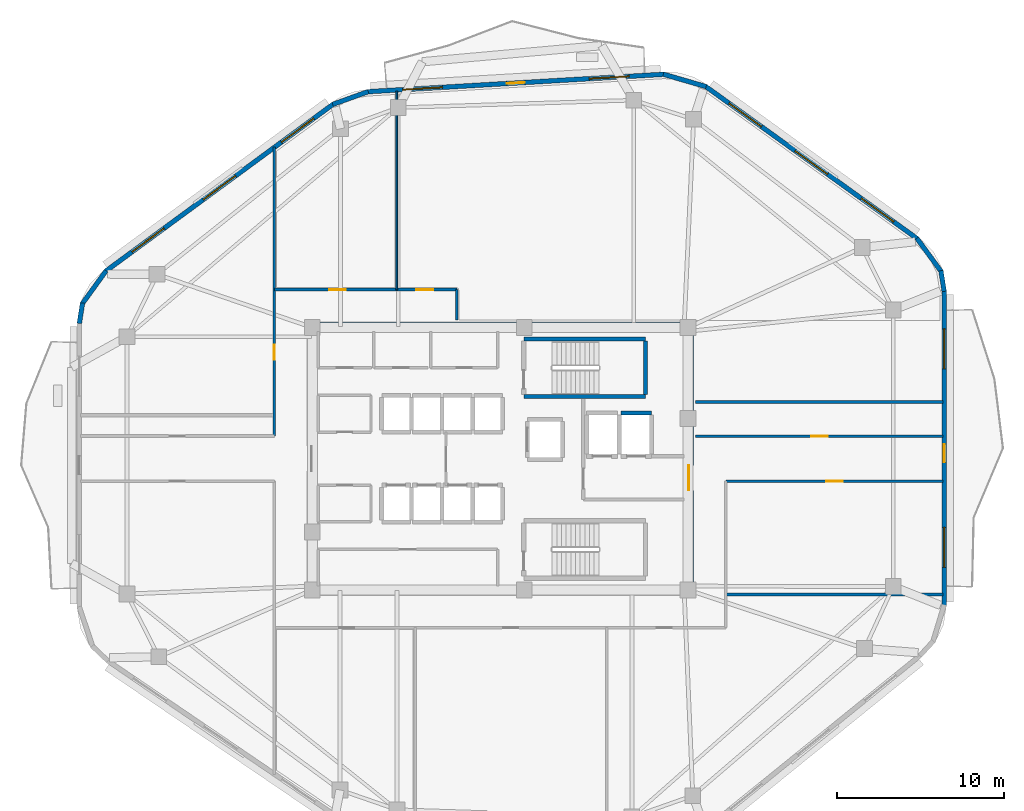
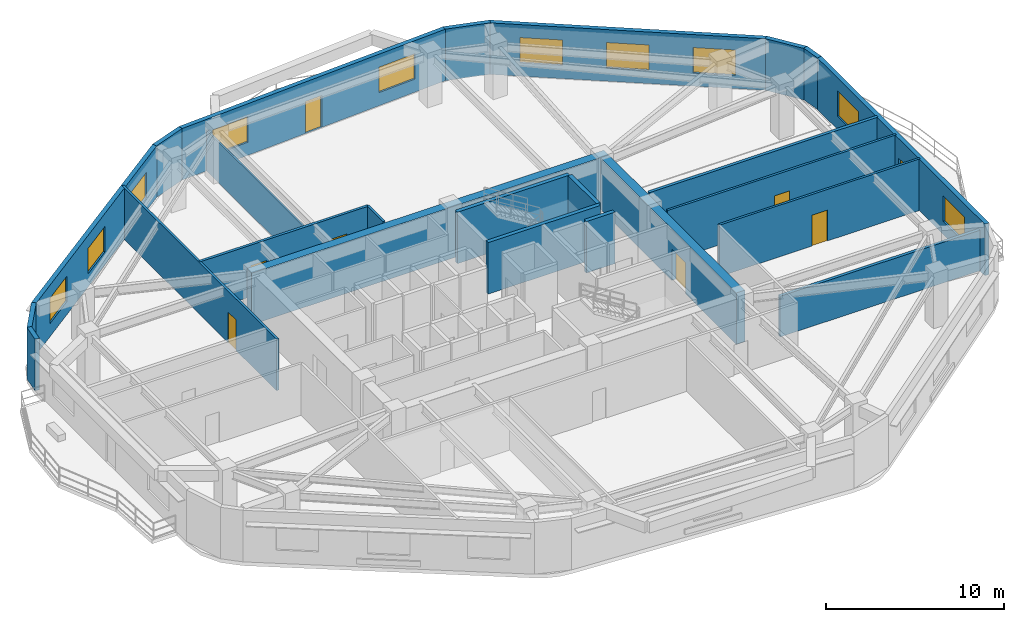
# One storey, part 5 of 9: 24 walls, 10 windows, 8 doors, 18 openings.
"""IFC4 building model written with IfcOpenShell, lengths in metres."""

from ifc_helpers import new_model, si_unit, direction, frame, frame_2d, origin, place, context, subcontext, project, spatial, rectangle, extrude, material, layer, layer_set, type_object, element, fill, save


model = new_model("IFC4")

# Units and contexts
model_context = context("Model", 3, precision=1e-05, world=origin(), true_north=direction((0.0, 1.0)))
body_context = subcontext(model_context, "Body", "Model", "MODEL_VIEW")
ifc_project = project(units=[si_unit("LENGTHUNIT", "METRE"), si_unit("AREAUNIT", "SQUARE_METRE"), si_unit("VOLUMEUNIT", "CUBIC_METRE"), si_unit("PLANEANGLEUNIT", "RADIAN"), si_unit("MASSUNIT", "GRAM", prefix="KILO")], contexts=[model_context])

# Site, building, storey
site_placement = place(None, origin())
site = spatial("IfcSite", under=ifc_project, at=site_placement, CompositionType="ELEMENT")
building_placement = place(site_placement, origin())
building = spatial("IfcBuilding", under=site, at=building_placement, Name="Zulverin Broadcast Headquarters", CompositionType="ELEMENT")
storey_placement = place(building_placement, frame((0.0, 0.0, 197.199951171875)))
storey = spatial("IfcBuildingStorey", under=building, at=storey_placement, Name="L50", CompositionType="ELEMENT", Elevation=197.199951171875)

# Walls
ifc_material_1 = material(Name="Acoustic drywall steel stud", Category="steel")
ifc_layer_1 = layer(ifc_material_1, 0.199951171875, Name="Acoustic drywall steel stud", Category="steel")
ifc_layer_set_1 = layer_set([ifc_layer_1], Name="Acoustic drywall steel stud")
wall_type_1 = type_object("IfcWallType", Name="WL-ACOU-200", PredefinedType="PARTITIONING", material=ifc_layer_set_1)
wall_1_placement = place(storey_placement, frame((50.550048828125, 17.050048828125, 0.0), z_axis=(0.0, 0.0, 1.0), x_axis=(1.0, 0.0, 0.0)))
element("IfcWall", 1, at=wall_1_placement, inside=storey, type_object=wall_type_1, Name="L50 Room Partition Wall RP-09", PredefinedType="PARTITIONING", context=body_context, shape_type="SweptSolid", body=[
    extrude(rectangle(XDim=13.044921875, YDim=0.199951171875, at=frame_2d((6.5224609375, 0.0))), origin(), (0.0, 0.0, 1.0), 2.7900390625),
])
wall_2_placement = place(storey_placement, frame((48.739990234375, 28.60009765625, 0.0), z_axis=(0.0, 0.0, 1.0), x_axis=(1.0, 0.0, 0.0)))
element("IfcWall", 2, at=wall_2_placement, inside=storey, type_object=wall_type_1, Name="L50 Room Partition Wall RP-15", PredefinedType="PARTITIONING", context=body_context, shape_type="SweptSolid", body=[
    extrude(rectangle(XDim=14.85498046875, YDim=0.199951171875, at=frame_2d((7.427490234375, 0.0))), origin(), (0.0, 0.0, 1.0), 3.5400390625),
])
ifc_material_2 = material(Name="Concrete C60/75", Category="concrete")
ifc_layer_2 = layer(ifc_material_2, 0.550048828125, Name="Concrete C60/75", Category="concrete")
ifc_layer_set_2 = layer_set([ifc_layer_2], Name="Concrete C60/75")
wall_type_2 = type_object("IfcWallType", Name="WL-CORE-550", PredefinedType="SHEAR", material=ifc_layer_set_2)
wall_3_placement = place(storey_placement, frame((25.39990234375, 33.125, 0.0), z_axis=(0.0, 0.0, 1.0), x_axis=(1.0, 0.0, 0.0)))
element("IfcWall", 3, at=wall_3_placement, inside=storey, type_object=wall_type_2, Name="L50 Core North Shear Wall", PredefinedType="SHEAR", context=body_context, shape_type="SweptSolid", body=[
    extrude(rectangle(XDim=23.2001953125, YDim=0.550048828125, at=frame_2d((11.60009765625, 0.0))), origin(), (0.0, 0.0, 1.0), 3.5400390625),
])

# Wall, opening, door
wall_4_placement = place(storey_placement, frame((48.324951171875, 17.550048828125, 0.0), z_axis=(0.0, 0.0, 1.0), x_axis=(0.0, 1.0, 0.0)))
wall_4 = element("IfcWall", 4, at=wall_4_placement, inside=storey, type_object=wall_type_2, Name="L50 Core East Shear Wall", PredefinedType="SHEAR", context=body_context, shape_type="SweptSolid", body=[
    extrude(rectangle(XDim=15.300048828125, YDim=0.550048828125, at=frame_2d((7.64990234375, 0.0))), origin(), (0.0, 0.0, 1.0), 3.5400390625),
])
opening_1_placement = place(wall_4_placement, frame((5.75, 0.0, 0.0)))
opening_1 = element("IfcOpeningElement", 5, at=opening_1_placement, cuts=wall_4, Name="Opening D-L50-CE1", PredefinedType="OPENING", context=body_context, shape_type="SweptSolid", body=[
    extrude(rectangle(XDim=1.5, YDim=2.14990234375, at=frame_2d((0.75, 1.074951171875))), frame((0.0, 0.284912109375, 0.0), z_axis=(0.0, -1.0, 0.0), x_axis=(1.0, 0.0, 0.0)), (0.0, 0.0, 1.0), 0.570068359375),
])
ifc_material_3 = material(Name="Fire-rated glazed steel frame", Category="steel")
door_type_1 = type_object("IfcDoorType", Name="DR-COR-1500", OperationType="DOUBLE_DOOR_SINGLE_SWING", PredefinedType="DOOR", material=ifc_material_3)
door_1_placement = place(opening_1_placement, origin())
door_1 = element("IfcDoor", 6, at=door_1_placement, inside=storey, type_object=door_type_1, Name="L50 Firefighting Lobby East Corridor Door", OperationType="DOUBLE_DOOR_SINGLE_SWING", OverallHeight=2.14990234375, OverallWidth=1.5, PredefinedType="DOOR", context=body_context, shape_type="SweptSolid", body=[
    extrude(rectangle(XDim=1.5, YDim=2.14990234375, at=frame_2d((0.75, 1.074951171875))), frame((0.0, 0.02490234375, 0.0), z_axis=(0.0, -1.0, 0.0), x_axis=(1.0, 0.0, 0.0)), (0.0, 0.0, 1.0), 0.050048828125),
])
fill(opening_1, door_1)

# Wall, openings, door, windows
ifc_material_4 = material(Name="Insulated pale-metal clad concrete spandrel C40/50", Category="concrete")
ifc_layer_3 = layer(ifc_material_4, 0.280029296875, Name="Insulated pale-metal clad concrete spandrel C40/50", Category="concrete")
ifc_layer_set_3 = layer_set([ifc_layer_3], Name="Insulated pale-metal clad concrete spandrel C40/50")
wall_type_3 = type_object("IfcWallType", Name="WL-EXT-280", PredefinedType="STANDARD", material=ifc_layer_set_3)
wall_5_placement = place(storey_placement, frame((63.659912109375, 16.390380859375, 0.0), z_axis=(0.0, 0.0, 1.0), x_axis=(0.0, 1.0, 0.0)))
wall_5 = element("IfcWall", 7, at=wall_5_placement, inside=storey, type_object=wall_type_3, Name="L50 Pale-Metal Clad Spandrel Wall 3", PredefinedType="STANDARD", context=body_context, shape_type="SweptSolid", body=[
    extrude(rectangle(XDim=18.875732421875, YDim=0.280029296875, at=frame_2d((9.43798828125, 0.0))), origin(), (0.0, 0.0, 1.0), 3.5400390625),
])
opening_2_placement = place(wall_5_placement, frame((8.587890625, 0.0, 0.0)))
opening_2 = element("IfcOpeningElement", 8, at=opening_2_placement, cuts=wall_5, Name="Opening D-L50-TR3", PredefinedType="OPENING", context=body_context, shape_type="SweptSolid", body=[
    extrude(rectangle(XDim=1.10009765625, YDim=2.199951171875, at=frame_2d((0.550048828125, 1.10009765625))), frame((0.0, 0.14990234375, 0.0), z_axis=(0.0, -1.0, 0.0), x_axis=(1.0, 0.0, 0.0)), (0.0, 0.0, 1.0), 0.300048828125),
])
opening_3_placement = place(wall_5_placement, frame((2.279296875, 0.0, 0.89990234375)))
opening_3 = element("IfcOpeningElement", 9, at=opening_3_placement, cuts=wall_5, Name="Opening W-L50-E31", PredefinedType="OPENING", context=body_context, shape_type="SweptSolid", body=[
    extrude(rectangle(XDim=2.39990234375, YDim=1.75, at=frame_2d((1.199951171875, 0.875))), frame((0.0, 0.14990234375, 0.0), z_axis=(0.0, -1.0, 0.0), x_axis=(1.0, 0.0, 0.0)), (0.0, 0.0, 1.0), 0.300048828125),
])
opening_4_placement = place(wall_5_placement, frame((14.196533203125, 0.0, 0.89990234375)))
opening_4 = element("IfcOpeningElement", 10, at=opening_4_placement, cuts=wall_5, Name="Opening W-L50-E32", PredefinedType="OPENING", context=body_context, shape_type="SweptSolid", body=[
    extrude(rectangle(XDim=2.39990234375, YDim=1.75, at=frame_2d((1.199951171875, 0.875))), frame((0.0, 0.14990234375, 0.0), z_axis=(0.0, -1.0, 0.0), x_axis=(1.0, 0.0, 0.0)), (0.0, 0.0, 1.0), 0.300048828125),
])
ifc_material_5 = material(Name="Thermally broken aluminium glazed", Category="aluminium")
door_type_2 = type_object("IfcDoorType", Name="DR-TERR-1100", OperationType="SINGLE_SWING_RIGHT", PredefinedType="DOOR", material=ifc_material_5)
door_2_placement = place(opening_2_placement, origin())
door_2 = element("IfcDoor", 11, at=door_2_placement, inside=storey, type_object=door_type_2, Name="L50 Planted Terrace Glazed Access Door 3", OperationType="SINGLE_SWING_RIGHT", OverallHeight=2.199951171875, OverallWidth=1.10009765625, PredefinedType="DOOR", context=body_context, shape_type="SweptSolid", body=[
    extrude(rectangle(XDim=1.10009765625, YDim=2.199951171875, at=frame_2d((0.550048828125, 1.10009765625))), frame((0.0, 0.02490234375, 0.0), z_axis=(0.0, -1.0, 0.0), x_axis=(1.0, 0.0, 0.0)), (0.0, 0.0, 1.0), 0.050048828125),
])
fill(opening_2, door_2)
ifc_material_6 = material(Name="Pale anodized aluminium frame with solar-control low-E double glazing", Category="aluminium")
window_type = type_object("IfcWindowType", Name="WIN-RIB-2400", PartitioningType="SINGLE_PANEL", PredefinedType="WINDOW", material=ifc_material_6)
window_1_placement = place(opening_3_placement, origin())
window_1 = element("IfcWindow", 12, at=window_1_placement, inside=storey, type_object=window_type, Name="L50 Ribbon Glazing Window 3 1", OverallHeight=1.75, OverallWidth=2.39990234375, PartitioningType="SINGLE_PANEL", PredefinedType="WINDOW", context=body_context, shape_type="SweptSolid", body=[
    extrude(rectangle(XDim=2.39990234375, YDim=1.75, at=frame_2d((1.199951171875, 0.875))), frame((0.0, 0.030029296875, 0.0), z_axis=(0.0, -1.0, 0.0), x_axis=(1.0, 0.0, 0.0)), (0.0, 0.0, 1.0), 0.06005859375),
])
fill(opening_3, window_1)
window_2_placement = place(opening_4_placement, origin())
window_2 = element("IfcWindow", 13, at=window_2_placement, inside=storey, type_object=window_type, Name="L50 Ribbon Glazing Window 3 2", OverallHeight=1.75, OverallWidth=2.39990234375, PartitioningType="SINGLE_PANEL", PredefinedType="WINDOW", context=body_context, shape_type="SweptSolid", body=[
    extrude(rectangle(XDim=2.39990234375, YDim=1.75, at=frame_2d((1.199951171875, 0.875))), frame((0.0, 0.030029296875, 0.0), z_axis=(0.0, -1.0, 0.0), x_axis=(1.0, 0.0, 0.0)), (0.0, 0.0, 1.0), 0.06005859375),
])
fill(opening_4, window_2)

# Wall, openings, windows
wall_6_placement = place(storey_placement, frame((62.054443359375, 38.3994140625, 0.0), z_axis=(0.0, 0.0, 1.0), x_axis=(-0.81172124793, 0.584045045915, 0.0)))
wall_6 = element("IfcWall", 14, at=wall_6_placement, inside=storey, type_object=wall_type_3, Name="L50 Pale-Metal Clad Spandrel Wall 4", PredefinedType="STANDARD", context=body_context, shape_type="SweptSolid", body=[
    extrude(rectangle(XDim=15.679443359375, YDim=0.280029296875, at=frame_2d((7.83984375, 0.0))), origin(), (0.0, 0.0, 1.0), 3.5400390625),
])
opening_5_placement = place(wall_6_placement, frame((1.74658203125, 0.0, 0.89990234375)))
opening_5 = element("IfcOpeningElement", 15, at=opening_5_placement, cuts=wall_6, Name="Opening W-L50-E41", PredefinedType="OPENING", context=body_context, shape_type="SweptSolid", body=[
    extrude(rectangle(XDim=2.39990234375, YDim=1.75, at=frame_2d((1.199951171875, 0.875))), frame((0.0, 0.14990234375, 0.0), z_axis=(0.0, -1.0, 0.0), x_axis=(1.0, 0.0, 0.0)), (0.0, 0.0, 1.0), 0.300048828125),
])
opening_6_placement = place(wall_6_placement, frame((6.6396484375, 0.0, 0.89990234375)))
opening_6 = element("IfcOpeningElement", 16, at=opening_6_placement, cuts=wall_6, Name="Opening W-L50-E42", PredefinedType="OPENING", context=body_context, shape_type="SweptSolid", body=[
    extrude(rectangle(XDim=2.39990234375, YDim=1.75, at=frame_2d((1.199951171875, 0.875))), frame((0.0, 0.14990234375, 0.0), z_axis=(0.0, -1.0, 0.0), x_axis=(1.0, 0.0, 0.0)), (0.0, 0.0, 1.0), 0.300048828125),
])
opening_7_placement = place(wall_6_placement, frame((11.53271484375, 0.0, 0.89990234375)))
opening_7 = element("IfcOpeningElement", 17, at=opening_7_placement, cuts=wall_6, Name="Opening W-L50-E43", PredefinedType="OPENING", context=body_context, shape_type="SweptSolid", body=[
    extrude(rectangle(XDim=2.39990234375, YDim=1.75, at=frame_2d((1.199951171875, 0.875))), frame((0.0, 0.14990234375, 0.0), z_axis=(0.0, -1.0, 0.0), x_axis=(1.0, 0.0, 0.0)), (0.0, 0.0, 1.0), 0.300048828125),
])
window_3_placement = place(opening_5_placement, origin())
window_3 = element("IfcWindow", 18, at=window_3_placement, inside=storey, type_object=window_type, Name="L50 Ribbon Glazing Window 4 1", OverallHeight=1.75, OverallWidth=2.39990234375, PartitioningType="SINGLE_PANEL", PredefinedType="WINDOW", context=body_context, shape_type="SweptSolid", body=[
    extrude(rectangle(XDim=2.39990234375, YDim=1.75, at=frame_2d((1.199951171875, 0.875))), frame((0.0, 0.030029296875, 0.0), z_axis=(0.0, -1.0, 0.0), x_axis=(1.0, 0.0, 0.0)), (0.0, 0.0, 1.0), 0.06005859375),
])
fill(opening_5, window_3)
window_4_placement = place(opening_6_placement, origin())
window_4 = element("IfcWindow", 19, at=window_4_placement, inside=storey, type_object=window_type, Name="L50 Ribbon Glazing Window 4 2", OverallHeight=1.75, OverallWidth=2.39990234375, PartitioningType="SINGLE_PANEL", PredefinedType="WINDOW", context=body_context, shape_type="SweptSolid", body=[
    extrude(rectangle(XDim=2.39990234375, YDim=1.75, at=frame_2d((1.199951171875, 0.875))), frame((0.0, 0.030029296875, 0.0), z_axis=(0.0, -1.0, 0.0), x_axis=(1.0, 0.0, 0.0)), (0.0, 0.0, 1.0), 0.06005859375),
])
fill(opening_6, window_4)
window_5_placement = place(opening_7_placement, origin())
window_5 = element("IfcWindow", 20, at=window_5_placement, inside=storey, type_object=window_type, Name="L50 Ribbon Glazing Window 4 3", OverallHeight=1.75, OverallWidth=2.39990234375, PartitioningType="SINGLE_PANEL", PredefinedType="WINDOW", context=body_context, shape_type="SweptSolid", body=[
    extrude(rectangle(XDim=2.39990234375, YDim=1.75, at=frame_2d((1.199951171875, 0.875))), frame((0.0, 0.030029296875, 0.0), z_axis=(0.0, -1.0, 0.0), x_axis=(1.0, 0.0, 0.0)), (0.0, 0.0, 1.0), 0.06005859375),
])
fill(opening_7, window_5)

# Wall, openings, door, windows
wall_7_placement = place(storey_placement, frame((46.84619140625, 48.27685546875, 0.0), z_axis=(0.0, 0.0, 1.0), x_axis=(-0.998273806631, -0.05873165241, 0.0)))
wall_7 = element("IfcWall", 21, at=wall_7_placement, inside=storey, type_object=wall_type_3, Name="L50 Pale-Metal Clad Spandrel Wall 5", PredefinedType="STANDARD", context=body_context, shape_type="SweptSolid", body=[
    extrude(rectangle(XDim=17.8330078125, YDim=0.280029296875, at=frame_2d((8.91650390625, 0.0))), origin(), (0.0, 0.0, 1.0), 3.5400390625),
])
opening_8_placement = place(wall_7_placement, frame((8.366455078125, 0.0, 0.0)))
opening_8 = element("IfcOpeningElement", 22, at=opening_8_placement, cuts=wall_7, Name="Opening D-L50-TR5", PredefinedType="OPENING", context=body_context, shape_type="SweptSolid", body=[
    extrude(rectangle(XDim=1.10009765625, YDim=2.199951171875, at=frame_2d((0.550048828125, 1.10009765625))), frame((0.0, 0.14990234375, 0.0), z_axis=(0.0, -1.0, 0.0), x_axis=(1.0, 0.0, 0.0)), (0.0, 0.0, 1.0), 0.300048828125),
])
opening_9_placement = place(wall_7_placement, frame((2.10546875, 0.0, 0.89990234375)))
opening_9 = element("IfcOpeningElement", 23, at=opening_9_placement, cuts=wall_7, Name="Opening W-L50-E51", PredefinedType="OPENING", context=body_context, shape_type="SweptSolid", body=[
    extrude(rectangle(XDim=2.39990234375, YDim=1.75, at=frame_2d((1.199951171875, 0.875))), frame((0.0, 0.14990234375, 0.0), z_axis=(0.0, -1.0, 0.0), x_axis=(1.0, 0.0, 0.0)), (0.0, 0.0, 1.0), 0.300048828125),
])
opening_10_placement = place(wall_7_placement, frame((13.32763671875, 0.0, 0.89990234375)))
opening_10 = element("IfcOpeningElement", 24, at=opening_10_placement, cuts=wall_7, Name="Opening W-L50-E52", PredefinedType="OPENING", context=body_context, shape_type="SweptSolid", body=[
    extrude(rectangle(XDim=2.39990234375, YDim=1.75, at=frame_2d((1.199951171875, 0.875))), frame((0.0, 0.14990234375, 0.0), z_axis=(0.0, -1.0, 0.0), x_axis=(1.0, 0.0, 0.0)), (0.0, 0.0, 1.0), 0.300048828125),
])
door_3_placement = place(opening_8_placement, origin())
door_3 = element("IfcDoor", 25, at=door_3_placement, inside=storey, type_object=door_type_2, Name="L50 Planted Terrace Glazed Access Door 5", OperationType="SINGLE_SWING_RIGHT", OverallHeight=2.199951171875, OverallWidth=1.10009765625, PredefinedType="DOOR", context=body_context, shape_type="SweptSolid", body=[
    extrude(rectangle(XDim=1.10009765625, YDim=2.199951171875, at=frame_2d((0.550048828125, 1.10009765625))), frame((0.0, 0.02490234375, 0.0), z_axis=(0.0, -1.0, 0.0), x_axis=(1.0, 0.0, 0.0)), (0.0, 0.0, 1.0), 0.050048828125),
])
fill(opening_8, door_3)
window_6_placement = place(opening_9_placement, origin())
window_6 = element("IfcWindow", 26, at=window_6_placement, inside=storey, type_object=window_type, Name="L50 Ribbon Glazing Window 5 1", OverallHeight=1.75, OverallWidth=2.39990234375, PartitioningType="SINGLE_PANEL", PredefinedType="WINDOW", context=body_context, shape_type="SweptSolid", body=[
    extrude(rectangle(XDim=2.39990234375, YDim=1.75, at=frame_2d((1.199951171875, 0.875))), frame((0.0, 0.030029296875, 0.0), z_axis=(0.0, -1.0, 0.0), x_axis=(1.0, 0.0, 0.0)), (0.0, 0.0, 1.0), 0.06005859375),
])
fill(opening_9, window_6)
window_7_placement = place(opening_10_placement, origin())
window_7 = element("IfcWindow", 27, at=window_7_placement, inside=storey, type_object=window_type, Name="L50 Ribbon Glazing Window 5 2", OverallHeight=1.75, OverallWidth=2.39990234375, PartitioningType="SINGLE_PANEL", PredefinedType="WINDOW", context=body_context, shape_type="SweptSolid", body=[
    extrude(rectangle(XDim=2.39990234375, YDim=1.75, at=frame_2d((1.199951171875, 0.875))), frame((0.0, 0.030029296875, 0.0), z_axis=(0.0, -1.0, 0.0), x_axis=(1.0, 0.0, 0.0)), (0.0, 0.0, 1.0), 0.06005859375),
])
fill(opening_10, window_7)

# Wall, openings, windows
wall_8_placement = place(storey_placement, frame((26.986083984375, 46.48779296875, 0.0), z_axis=(0.0, 0.0, 1.0), x_axis=(-0.806097783211, -0.59178236194, 0.0)))
wall_8 = element("IfcWall", 28, at=wall_8_placement, inside=storey, type_object=wall_type_3, Name="L50 Pale-Metal Clad Spandrel Wall 6", PredefinedType="STANDARD", context=body_context, shape_type="SweptSolid", body=[
    extrude(rectangle(XDim=16.958740234375, YDim=0.280029296875, at=frame_2d((8.4794921875, 0.0))), origin(), (0.0, 0.0, 1.0), 3.5400390625),
])
opening_11_placement = place(wall_8_placement, frame((1.459716796875, 0.0, 0.89990234375)))
opening_11 = element("IfcOpeningElement", 29, at=opening_11_placement, cuts=wall_8, Name="Opening W-L50-E61", PredefinedType="OPENING", context=body_context, shape_type="SweptSolid", body=[
    extrude(rectangle(XDim=2.39990234375, YDim=1.75, at=frame_2d((1.199951171875, 0.875))), frame((0.0, 0.14990234375, 0.0), z_axis=(0.0, -1.0, 0.0), x_axis=(1.0, 0.0, 0.0)), (0.0, 0.0, 1.0), 0.300048828125),
])
opening_12_placement = place(wall_8_placement, frame((7.279296875, 0.0, 0.89990234375)))
opening_12 = element("IfcOpeningElement", 30, at=opening_12_placement, cuts=wall_8, Name="Opening W-L50-E62", PredefinedType="OPENING", context=body_context, shape_type="SweptSolid", body=[
    extrude(rectangle(XDim=2.39990234375, YDim=1.75, at=frame_2d((1.199951171875, 0.875))), frame((0.0, 0.14990234375, 0.0), z_axis=(0.0, -1.0, 0.0), x_axis=(1.0, 0.0, 0.0)), (0.0, 0.0, 1.0), 0.300048828125),
])
opening_13_placement = place(wall_8_placement, frame((12.59912109375, 0.0, 0.89990234375)))
opening_13 = element("IfcOpeningElement", 31, at=opening_13_placement, cuts=wall_8, Name="Opening W-L50-E63", PredefinedType="OPENING", context=body_context, shape_type="SweptSolid", body=[
    extrude(rectangle(XDim=2.39990234375, YDim=1.75, at=frame_2d((1.199951171875, 0.875))), frame((0.0, 0.14990234375, 0.0), z_axis=(0.0, -1.0, 0.0), x_axis=(1.0, 0.0, 0.0)), (0.0, 0.0, 1.0), 0.300048828125),
])
window_8_placement = place(opening_11_placement, origin())
window_8 = element("IfcWindow", 32, at=window_8_placement, inside=storey, type_object=window_type, Name="L50 Ribbon Glazing Window 6 1", OverallHeight=1.75, OverallWidth=2.39990234375, PartitioningType="SINGLE_PANEL", PredefinedType="WINDOW", context=body_context, shape_type="SweptSolid", body=[
    extrude(rectangle(XDim=2.39990234375, YDim=1.75, at=frame_2d((1.199951171875, 0.875))), frame((0.0, 0.030029296875, 0.0), z_axis=(0.0, -1.0, 0.0), x_axis=(1.0, 0.0, 0.0)), (0.0, 0.0, 1.0), 0.06005859375),
])
fill(opening_11, window_8)
window_9_placement = place(opening_12_placement, origin())
window_9 = element("IfcWindow", 33, at=window_9_placement, inside=storey, type_object=window_type, Name="L50 Ribbon Glazing Window 6 2", OverallHeight=1.75, OverallWidth=2.39990234375, PartitioningType="SINGLE_PANEL", PredefinedType="WINDOW", context=body_context, shape_type="SweptSolid", body=[
    extrude(rectangle(XDim=2.39990234375, YDim=1.75, at=frame_2d((1.199951171875, 0.875))), frame((0.0, 0.030029296875, 0.0), z_axis=(0.0, -1.0, 0.0), x_axis=(1.0, 0.0, 0.0)), (0.0, 0.0, 1.0), 0.06005859375),
])
fill(opening_12, window_9)
window_10_placement = place(opening_13_placement, origin())
window_10 = element("IfcWindow", 34, at=window_10_placement, inside=storey, type_object=window_type, Name="L50 Ribbon Glazing Window 6 3", OverallHeight=1.75, OverallWidth=2.39990234375, PartitioningType="SINGLE_PANEL", PredefinedType="WINDOW", context=body_context, shape_type="SweptSolid", body=[
    extrude(rectangle(XDim=2.39990234375, YDim=1.75, at=frame_2d((1.199951171875, 0.875))), frame((0.0, 0.030029296875, 0.0), z_axis=(0.0, -1.0, 0.0), x_axis=(1.0, 0.0, 0.0)), (0.0, 0.0, 1.0), 0.06005859375),
])
fill(opening_13, window_10)

# Walls
wall_9_placement = place(storey_placement, frame((63.66162109375, 35.244140625, 0.0), z_axis=(0.0, 0.0, 1.0), x_axis=(-0.157059104921, 0.987589204863, 0.0)))
element("IfcWall", 35, at=wall_9_placement, inside=storey, type_object=wall_type_3, Name="L50 Wind-Shaped Corner Spandrel Wall 3-1", PredefinedType="STANDARD", context=body_context, shape_type="SweptSolid", body=[
    extrude(rectangle(XDim=1.257568359375, YDim=0.280029296875, at=frame_2d((0.62890625, 0.0))), origin(), (0.0, 0.0, 1.0), 3.5400390625),
])
wall_10_placement = place(storey_placement, frame((63.4892578125, 36.425537109375, 0.0), z_axis=(0.0, 0.0, 1.0), x_axis=(-0.590267940876, 0.80720738226, 0.0)))
element("IfcWall", 36, at=wall_10_placement, inside=storey, type_object=wall_type_3, Name="L50 Wind-Shaped Corner Spandrel Wall 3-2", PredefinedType="STANDARD", context=body_context, shape_type="SweptSolid", body=[
    extrude(rectangle(XDim=2.483642578125, YDim=0.280029296875, at=frame_2d((1.24169921875, 0.0))), origin(), (0.0, 0.0, 1.0), 3.5400390625),
])
wall_11_placement = place(storey_placement, frame((49.3701171875, 47.535888671875, 0.0), z_axis=(0.0, 0.0, 1.0), x_axis=(-0.960380089791, 0.278693529048, 0.0)))
element("IfcWall", 37, at=wall_11_placement, inside=storey, type_object=wall_type_3, Name="L50 Wind-Shaped Corner Spandrel Wall 4-1", PredefinedType="STANDARD", context=body_context, shape_type="SweptSolid", body=[
    extrude(rectangle(XDim=2.677001953125, YDim=0.280029296875, at=frame_2d((1.33837890625, 0.0))), origin(), (0.0, 0.0, 1.0), 3.5400390625),
])
wall_12_placement = place(storey_placement, frame((29.083251953125, 47.23779296875, 0.0), z_axis=(0.0, 0.0, 1.0), x_axis=(-0.940723909279, -0.33917329864, 0.0)))
element("IfcWall", 38, at=wall_12_placement, inside=storey, type_object=wall_type_3, Name="L50 Wind-Shaped Corner Spandrel Wall 5-1", PredefinedType="STANDARD", context=body_context, shape_type="SweptSolid", body=[
    extrude(rectangle(XDim=2.2666015625, YDim=0.280029296875, at=frame_2d((1.13330078125, 0.0))), origin(), (0.0, 0.0, 1.0), 3.5400390625),
])
wall_13_placement = place(storey_placement, frame((13.346435546875, 36.48291015625, 0.0), z_axis=(0.0, 0.0, 1.0), x_axis=(-0.585128091556, -0.810940883463, 0.0)))
element("IfcWall", 39, at=wall_13_placement, inside=storey, type_object=wall_type_3, Name="L50 Wind-Shaped Corner Spandrel Wall 6-1", PredefinedType="STANDARD", context=body_context, shape_type="SweptSolid", body=[
    extrude(rectangle(XDim=2.459716796875, YDim=0.280029296875, at=frame_2d((1.22998046875, 0.0))), origin(), (0.0, 0.0, 1.0), 3.5400390625),
])
wall_14_placement = place(storey_placement, frame((11.931884765625, 34.54833984375, 0.0), z_axis=(0.0, 0.0, 1.0), x_axis=(-0.155519443181, -0.987832831401, 0.0)))
element("IfcWall", 40, at=wall_14_placement, inside=storey, type_object=wall_type_3, Name="L50 Wind-Shaped Corner Spandrel Wall 6-2", PredefinedType="STANDARD", context=body_context, shape_type="SweptSolid", body=[
    extrude(rectangle(XDim=1.244873046875, YDim=0.280029296875, at=frame_2d((0.62255859375, 0.0))), origin(), (0.0, 0.0, 1.0), 3.5400390625),
])
ifc_material_7 = material(Name="Fire-rated acoustic laminated glass screen", Category="glass")
ifc_layer_4 = layer(ifc_material_7, 0.10009765625, Name="Fire-rated acoustic laminated glass screen", Category="glass")
ifc_layer_set_4 = layer_set([ifc_layer_4], Name="Fire-rated acoustic laminated glass screen")
wall_type_4 = type_object("IfcWallType", Name="WL-GLAZ-100", PredefinedType="PARTITIONING", material=ifc_layer_set_4)
wall_15_placement = place(storey_placement, frame((30.800048828125, 35.35009765625, 0.0), z_axis=(0.0, 0.0, 1.0), x_axis=(0.0, 1.0, 0.0)))
element("IfcWall", 41, at=wall_15_placement, inside=storey, type_object=wall_type_4, Name="L50 Room Partition Wall RP-05", PredefinedType="PARTITIONING", context=body_context, shape_type="SweptSolid", body=[
    extrude(rectangle(XDim=11.918212890625, YDim=0.10009765625, at=frame_2d((5.958984375, 0.0))), origin(), (0.0, 0.0, 1.0), 2.7900390625),
])
ifc_material_8 = material(Name="Fire-rated gypsum stud partition", Category="gypsum")
ifc_layer_5 = layer(ifc_material_8, 0.14990234375, Name="Fire-rated gypsum stud partition", Category="gypsum")
ifc_layer_set_5 = layer_set([ifc_layer_5], Name="Fire-rated gypsum stud partition")
wall_type_5 = type_object("IfcWallType", Name="WL-PART-150", PredefinedType="PARTITIONING", material=ifc_layer_set_5)
wall_16_placement = place(storey_placement, frame((34.39990234375, 33.5400390625, 0.0), z_axis=(0.0, 0.0, 1.0), x_axis=(0.0, 1.0, 0.0)))
element("IfcWall", 42, at=wall_16_placement, inside=storey, type_object=wall_type_5, Name="L50 Gallery Partition Wall CG-03", PredefinedType="PARTITIONING", context=body_context, shape_type="SweptSolid", body=[
    extrude(rectangle(XDim=1.81005859375, YDim=0.14990234375, at=frame_2d((0.905029296875, 0.0))), origin(), (0.0, 0.0, 1.0), 3.5400390625),
])

# Wall, opening, door
wall_17_placement = place(storey_placement, frame((23.449951171875, 26.550048828125, 0.0), z_axis=(0.0, 0.0, 1.0), x_axis=(0.0, 1.0, 0.0)))
wall_17 = element("IfcWall", 43, at=wall_17_placement, inside=storey, type_object=wall_type_5, Name="L50 Gallery Partition Wall CG-07", PredefinedType="PARTITIONING", context=body_context, shape_type="SweptSolid", body=[
    extrude(rectangle(XDim=17.375244140625, YDim=0.14990234375, at=frame_2d((8.6875, 0.0))), origin(), (0.0, 0.0, 1.0), 3.5400390625),
])
opening_14_placement = place(wall_17_placement, frame((4.574951171875, 0.0, 0.0)))
opening_14 = element("IfcOpeningElement", 44, at=opening_14_placement, cuts=wall_17, Name="Opening D-L50-08", PredefinedType="OPENING", context=body_context, shape_type="SweptSolid", body=[
    extrude(rectangle(XDim=0.89990234375, YDim=2.10009765625, at=frame_2d((0.449951171875, 1.050048828125))), frame((0.0, 0.0849609375, 0.0), z_axis=(0.0, -1.0, 0.0), x_axis=(1.0, 0.0, 0.0)), (0.0, 0.0, 1.0), 0.169921875),
])
ifc_material_9 = material(Name="Fire-rated hardwood veneer timber leaf", Category="wood")
door_type_3 = type_object("IfcDoorType", Name="DR-ROOM-900", OperationType="SINGLE_SWING_RIGHT", PredefinedType="DOOR", material=ifc_material_9)
door_4_placement = place(opening_14_placement, origin())
door_4 = element("IfcDoor", 45, at=door_4_placement, inside=storey, type_object=door_type_3, Name="L50 Tea Pantry Door", OperationType="SINGLE_SWING_LEFT", OverallHeight=2.10009765625, OverallWidth=0.89990234375, PredefinedType="DOOR", context=body_context, shape_type="SweptSolid", body=[
    extrude(rectangle(XDim=0.89990234375, YDim=2.10009765625, at=frame_2d((0.449951171875, 1.050048828125))), frame((0.0, 0.02490234375, 0.0), z_axis=(0.0, -1.0, 0.0), x_axis=(1.0, 0.0, 0.0)), (0.0, 0.0, 1.0), 0.050048828125),
])
fill(opening_14, door_4)

wall_18_placement = place(storey_placement, frame((50.550048828125, 23.85009765625, 0.0), z_axis=(0.0, 0.0, 1.0), x_axis=(1.0, 0.0, 0.0)))
wall_18 = element("IfcWall", 46, at=wall_18_placement, inside=storey, type_object=wall_type_5, Name="L50 Gallery Partition Wall CG-11", PredefinedType="PARTITIONING", context=body_context, shape_type="SweptSolid", body=[
    extrude(rectangle(XDim=13.044921875, YDim=0.14990234375, at=frame_2d((6.5224609375, 0.0))), origin(), (0.0, 0.0, 1.0), 3.5400390625),
])
opening_15_placement = place(wall_18_placement, frame((6.0224609375, 0.0, 0.0)))
opening_15 = element("IfcOpeningElement", 47, at=opening_15_placement, cuts=wall_18, Name="Opening D-L50-09", PredefinedType="OPENING", context=body_context, shape_type="SweptSolid", body=[
    extrude(rectangle(XDim=1.0, YDim=2.1201171875, at=frame_2d((0.5, 1.06005859375))), frame((0.0, 0.0849609375, 0.0), z_axis=(0.0, -1.0, 0.0), x_axis=(1.0, 0.0, 0.0)), (0.0, 0.0, 1.0), 0.169921875),
])
ifc_material_10 = material(Name="Hardwood veneer acoustic leaf", Category="wood")
door_type_4 = type_object("IfcDoorType", Name="DR-OFF-1000", OperationType="SINGLE_SWING_LEFT", PredefinedType="DOOR", material=ifc_material_10)
door_5_placement = place(opening_15_placement, origin())
door_5 = element("IfcDoor", 48, at=door_5_placement, inside=storey, type_object=door_type_4, Name="L50 Network Operations Open Workplace Door", OperationType="SINGLE_SWING_RIGHT", OverallHeight=2.1201171875, OverallWidth=1.0, PredefinedType="DOOR", context=body_context, shape_type="SweptSolid", body=[
    extrude(rectangle(XDim=1.0, YDim=2.1201171875, at=frame_2d((0.5, 1.06005859375))), frame((0.0, 0.02490234375, 0.0), z_axis=(0.0, -1.0, 0.0), x_axis=(1.0, 0.0, 0.0)), (0.0, 0.0, 1.0), 0.050048828125),
])
fill(opening_15, door_5)

wall_19_placement = place(storey_placement, frame((48.739990234375, 26.550048828125, 0.0), z_axis=(0.0, 0.0, 1.0), x_axis=(1.0, 0.0, 0.0)))
wall_19 = element("IfcWall", 49, at=wall_19_placement, inside=storey, type_object=wall_type_5, Name="L50 Gallery Partition Wall CG-13", PredefinedType="PARTITIONING", context=body_context, shape_type="SweptSolid", body=[
    extrude(rectangle(XDim=14.85498046875, YDim=0.14990234375, at=frame_2d((7.427490234375, 0.0))), origin(), (0.0, 0.0, 1.0), 3.5400390625),
])
opening_16_placement = place(wall_19_placement, frame((6.927490234375, 0.0, 0.0)))
opening_16 = element("IfcOpeningElement", 50, at=opening_16_placement, cuts=wall_19, Name="Opening D-L50-10", PredefinedType="OPENING", context=body_context, shape_type="SweptSolid", body=[
    extrude(rectangle(XDim=1.0, YDim=2.1201171875, at=frame_2d((0.5, 1.06005859375))), frame((0.0, 0.0849609375, 0.0), z_axis=(0.0, -1.0, 0.0), x_axis=(1.0, 0.0, 0.0)), (0.0, 0.0, 1.0), 0.169921875),
])
door_6_placement = place(opening_16_placement, origin())
door_6 = element("IfcDoor", 51, at=door_6_placement, inside=storey, type_object=door_type_4, Name="L50 Ingest Control Office Door", OperationType="SINGLE_SWING_LEFT", OverallHeight=2.1201171875, OverallWidth=1.0, PredefinedType="DOOR", context=body_context, shape_type="SweptSolid", body=[
    extrude(rectangle(XDim=1.0, YDim=2.1201171875, at=frame_2d((0.5, 1.06005859375))), frame((0.0, 0.02490234375, 0.0), z_axis=(0.0, -1.0, 0.0), x_axis=(1.0, 0.0, 0.0)), (0.0, 0.0, 1.0), 0.050048828125),
])
fill(opening_16, door_6)

# Wall, openings, doors
ifc_material_11 = material(Name="Fire-rated acoustic stud wall", Category="gypsum")
ifc_layer_6 = layer(ifc_material_11, 0.175048828125, Name="Fire-rated acoustic stud wall", Category="gypsum")
ifc_layer_set_6 = layer_set([ifc_layer_6], Name="Fire-rated acoustic stud wall")
wall_type_6 = type_object("IfcWallType", Name="WL-PART-175", PredefinedType="PARTITIONING", material=ifc_layer_set_6)
wall_20_placement = place(storey_placement, frame((23.449951171875, 35.35009765625, 0.0), z_axis=(0.0, 0.0, 1.0), x_axis=(1.0, 0.0, 0.0)))
wall_20 = element("IfcWall", 52, at=wall_20_placement, inside=storey, type_object=wall_type_6, Name="L50 Gallery Partition Wall CG-16", PredefinedType="PARTITIONING", context=body_context, shape_type="SweptSolid", body=[
    extrude(rectangle(XDim=10.949951171875, YDim=0.175048828125, at=frame_2d((5.47509765625, 0.0))), origin(), (0.0, 0.0, 1.0), 3.5400390625),
])
opening_17_placement = place(wall_20_placement, frame((3.294921875, 0.0, 0.0)))
opening_17 = element("IfcOpeningElement", 53, at=opening_17_placement, cuts=wall_20, Name="Opening D-L50-01", PredefinedType="OPENING", context=body_context, shape_type="SweptSolid", body=[
    extrude(rectangle(XDim=1.0, YDim=2.1201171875, at=frame_2d((0.5, 1.06005859375))), frame((0.0, 0.097412109375, 0.0), z_axis=(0.0, -1.0, 0.0), x_axis=(1.0, 0.0, 0.0)), (0.0, 0.0, 1.0), 0.195068359375),
])
opening_18_placement = place(wall_20_placement, frame((8.530029296875, 0.0, 0.0)))
opening_18 = element("IfcOpeningElement", 54, at=opening_18_placement, cuts=wall_20, Name="Opening D-L50-02", PredefinedType="OPENING", context=body_context, shape_type="SweptSolid", body=[
    extrude(rectangle(XDim=1.0, YDim=2.1201171875, at=frame_2d((0.5, 1.06005859375))), frame((0.0, 0.097412109375, 0.0), z_axis=(0.0, -1.0, 0.0), x_axis=(1.0, 0.0, 0.0)), (0.0, 0.0, 1.0), 0.195068359375),
])
door_7_placement = place(opening_17_placement, origin())
door_7 = element("IfcDoor", 55, at=door_7_placement, inside=storey, type_object=door_type_4, Name="L50 Network Operations Open Workplace Door", OperationType="SINGLE_SWING_RIGHT", OverallHeight=2.1201171875, OverallWidth=1.0, PredefinedType="DOOR", context=body_context, shape_type="SweptSolid", body=[
    extrude(rectangle(XDim=1.0, YDim=2.1201171875, at=frame_2d((0.5, 1.06005859375))), frame((0.0, 0.02490234375, 0.0), z_axis=(0.0, -1.0, 0.0), x_axis=(1.0, 0.0, 0.0)), (0.0, 0.0, 1.0), 0.050048828125),
])
fill(opening_17, door_7)
door_8_placement = place(opening_18_placement, origin())
door_8 = element("IfcDoor", 56, at=door_8_placement, inside=storey, type_object=door_type_4, Name="L50 Ingest Control Office Door", OperationType="SINGLE_SWING_LEFT", OverallHeight=2.1201171875, OverallWidth=1.0, PredefinedType="DOOR", context=body_context, shape_type="SweptSolid", body=[
    extrude(rectangle(XDim=1.0, YDim=2.1201171875, at=frame_2d((0.5, 1.06005859375))), frame((0.0, 0.02490234375, 0.0), z_axis=(0.0, -1.0, 0.0), x_axis=(1.0, 0.0, 0.0)), (0.0, 0.0, 1.0), 0.050048828125),
])
fill(opening_18, door_8)

# Walls
ifc_material_12 = material(Name="Concrete C50/60", Category="concrete")
ifc_layer_7 = layer(ifc_material_12, 0.25, Name="Concrete C50/60", Category="concrete")
ifc_layer_set_7 = layer_set([ifc_layer_7], Name="Concrete C50/60")
wall_type_7 = type_object("IfcWallType", Name="WL-SHAFT-250", PredefinedType="SHEAR", material=ifc_layer_set_7)
for number, where, z_axis, x_axis, name in (
    (57, (38.425048828125, 28.925048828125, 0.0), (0.0, 0.0, 1.0), (1.0, 0.0, 0.0), "L50 ST-1 Enclosure Wall S"),
    (58, (38.425048828125, 32.375, 0.0), (0.0, 0.0, 1.0), (1.0, 0.0, 0.0), "L50 ST-1 Enclosure Wall N"),
):
    element("IfcWall", number, at=place(storey_placement, frame(where, z_axis=z_axis, x_axis=x_axis)), inside=storey, type_object=wall_type_7, Name=name, PredefinedType="SHEAR", context=body_context, shape_type="SweptSolid", body=[
        extrude(rectangle(XDim=7.300048828125, YDim=0.25, at=frame_2d((3.64990234375, 0.0))), origin(), (0.0, 0.0, 1.0), 3.5400390625),
    ])
wall_21_placement = place(storey_placement, frame((45.72509765625, 29.050048828125, 0.0), z_axis=(0.0, 0.0, 1.0), x_axis=(0.0, 1.0, 0.0)))
element("IfcWall", 59, at=wall_21_placement, inside=storey, type_object=wall_type_7, Name="L50 ST-1 Enclosure Wall E", PredefinedType="SHEAR", context=body_context, shape_type="SweptSolid", body=[
    extrude(rectangle(XDim=3.199951171875, YDim=0.25, at=frame_2d((1.60009765625, 0.0))), origin(), (0.0, 0.0, 1.0), 3.5400390625),
])
wall_22_placement = place(storey_placement, frame((44.25, 27.949951171875, 0.0), z_axis=(0.0, 0.0, 1.0), x_axis=(1.0, 0.0, 0.0)))
element("IfcWall", 60, at=wall_22_placement, inside=storey, type_object=wall_type_7, Name="L50 Lift FFL-2 Shaft Wall N", PredefinedType="SHEAR", context=body_context, shape_type="SweptSolid", body=[
    extrude(rectangle(XDim=1.85009765625, YDim=0.25, at=frame_2d((0.925048828125, 0.0))), origin(), (0.0, 0.0, 1.0), 3.5400390625),
])

save(model, "model.ifc")
